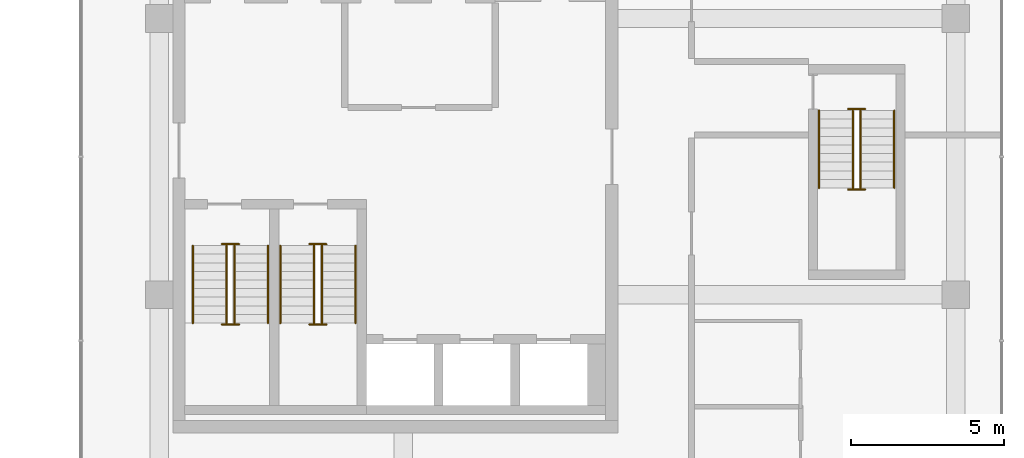
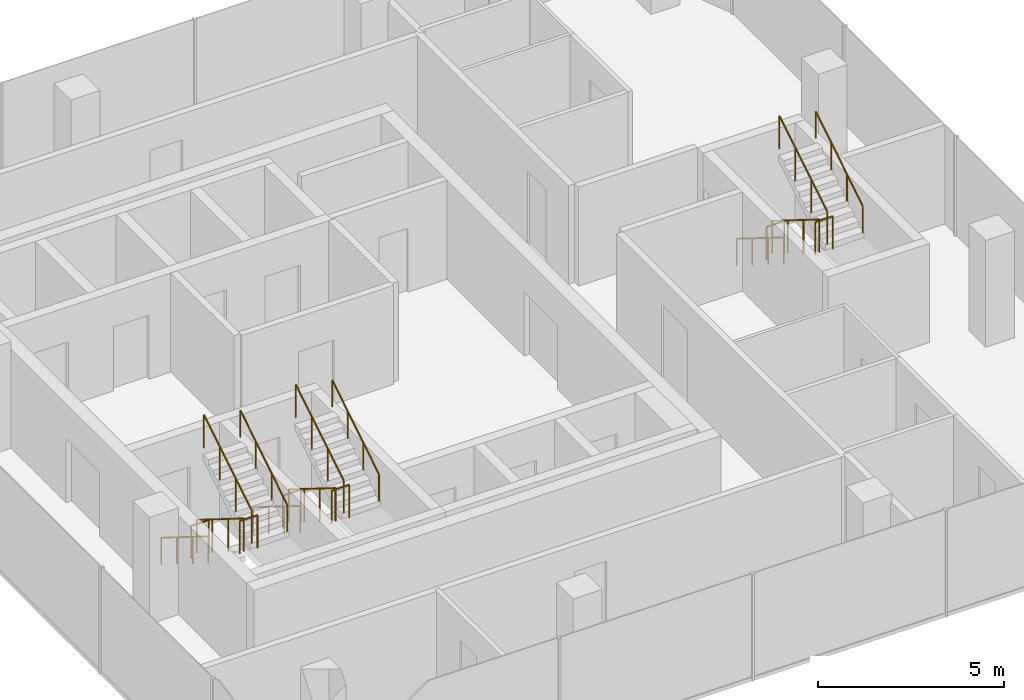
# One storey, part 23 of 23: 18 railings.
"""IFC4 building model written with IfcOpenShell, lengths in metres."""

from ifc_helpers import new_model, si_unit, direction, frame, origin, origin_2d, place, context, subcontext, project, spatial, circle, extrude, material, type_object, element, save


model = new_model("IFC4")

# Units and contexts
model_context = context("Model", 3, precision=1e-05, world=origin(), true_north=direction((0.0, 1.0)))
body_context = subcontext(model_context, "Body", "Model", "MODEL_VIEW")
ifc_project = project(units=[si_unit("LENGTHUNIT", "METRE"), si_unit("AREAUNIT", "SQUARE_METRE"), si_unit("VOLUMEUNIT", "CUBIC_METRE"), si_unit("PLANEANGLEUNIT", "RADIAN"), si_unit("MASSUNIT", "GRAM", prefix="KILO")], contexts=[model_context])

# Site, building, storey
site_placement = place(None, origin())
site = spatial("IfcSite", under=ifc_project, at=site_placement, CompositionType="ELEMENT")
building_placement = place(site_placement, origin())
building = spatial("IfcBuilding", under=site, at=building_placement, Name="Plateau Cross Towers", CompositionType="ELEMENT")
storey_placement = place(building_placement, frame((0.0, 0.0, 95.800048828125)))
storey = spatial("IfcBuildingStorey", under=building, at=storey_placement, Name="L24", CompositionType="ELEMENT", Elevation=95.800048828125)

# Railings
ifc_material_1 = material(Name="Stainless steel and toughened glass", Category="steel")
railing_type_1 = type_object("IfcRailingType", Name="RL-GUARD-1100", PredefinedType="GUARDRAIL", material=ifc_material_1)
railing_1_placement = place(storey_placement, frame((76.75, 6.10009765625, 0.175048828125)))
element("IfcRailing", 1, at=railing_1_placement, inside=storey, type_object=railing_type_1, Name="L24 SB-1 stair guard 1", PredefinedType="GUARDRAIL", context=body_context, shape_type="SweptSolid", body=[
    extrude(circle(Radius=0.02392578125, at=origin_2d()), frame((0.0, 0.0, 1.076171875), z_axis=(0.0, -0.848007534815, 0.529984170421), x_axis=(1.0, 0.0, 0.0)), (0.0, 0.0, 1.0), 2.9716796875),
    extrude(circle(Radius=0.02099609375, at=origin_2d()), origin(), (0.0, 0.0, 1.0), 1.052001953125),
    extrude(circle(Radius=0.02099609375, at=origin_2d()), frame((0.0, -0.840087890625, 0.52490234375)), (0.0, 0.0, 1.0), 1.052001953125),
    extrude(circle(Radius=0.02099609375, at=origin_2d()), frame((0.0, -1.679931640625, 1.050048828125)), (0.0, 0.0, 1.0), 1.052001953125),
    extrude(circle(Radius=0.02099609375, at=origin_2d()), frame((0.0, -2.52001953125, 1.574951171875)), (0.0, 0.0, 1.0), 1.052001953125),
])
railing_2_placement = place(storey_placement, frame((76.60009765625, 3.530029296875, 1.75)))
element("IfcRailing", 2, at=railing_2_placement, inside=storey, type_object=railing_type_1, Name="L24 SB-1 stair guard 2", PredefinedType="GUARDRAIL", context=body_context, shape_type="SweptSolid", body=[
    extrude(circle(Radius=0.02392578125, at=origin_2d()), frame((0.0, 0.0, 1.076171875), z_axis=(1.0, 0.0, 0.0), x_axis=(0.0, 1.0, 0.0)), (0.0, 0.0, 1.0), 0.5498046875),
    extrude(circle(Radius=0.02099609375, at=origin_2d()), origin(), (0.0, 0.0, 1.0), 1.052001953125),
    extrude(circle(Radius=0.02099609375, at=origin_2d()), frame((0.5498046875, 0.0, 0.0)), (0.0, 0.0, 1.0), 1.052001953125),
])
railing_3_placement = place(storey_placement, frame((77.0, 3.580078125, 1.925048828125)))
element("IfcRailing", 3, at=railing_3_placement, inside=storey, type_object=railing_type_1, Name="L24 SB-1 stair guard 3", PredefinedType="GUARDRAIL", context=body_context, shape_type="SweptSolid", body=[
    extrude(circle(Radius=0.02392578125, at=origin_2d()), frame((0.0, 0.0, 1.076171875), z_axis=(0.0, 0.852616386126, 0.522537365276), x_axis=(-1.0, 0.0, 0.0)), (0.0, 0.0, 1.0), 3.01416015625),
    extrude(circle(Radius=0.02099609375, at=origin_2d()), origin(), (0.0, 0.0, 1.0), 1.052001953125),
    extrude(circle(Radius=0.02099609375, at=origin_2d()), frame((0.0, 0.856689453125, 0.52490234375)), (0.0, 0.0, 1.0), 1.052001953125),
    extrude(circle(Radius=0.02099609375, at=origin_2d()), frame((0.0, 1.713134765625, 1.050048828125)), (0.0, 0.0, 1.0), 1.052001953125),
    extrude(circle(Radius=0.02099609375, at=origin_2d()), frame((0.0, 2.56982421875, 1.574951171875)), (0.0, 0.0, 1.0), 1.052001953125),
])
railing_4_placement = place(storey_placement, frame((76.60009765625, 6.14990234375, 0.0)))
element("IfcRailing", 4, at=railing_4_placement, inside=storey, type_object=railing_type_1, Name="L24 SB-1 stair guard 4", PredefinedType="GUARDRAIL", context=body_context, shape_type="SweptSolid", body=[
    extrude(circle(Radius=0.02392578125, at=origin_2d()), frame((0.0, 0.0, 1.076171875), z_axis=(1.0, 0.0, 0.0), x_axis=(0.0, 1.0, 0.0)), (0.0, 0.0, 1.0), 0.5498046875),
    extrude(circle(Radius=0.02099609375, at=origin_2d()), origin(), (0.0, 0.0, 1.0), 1.052001953125),
    extrude(circle(Radius=0.02099609375, at=origin_2d()), frame((0.5498046875, 0.0, 0.0)), (0.0, 0.0, 1.0), 1.052001953125),
])
railing_5_placement = place(storey_placement, frame((79.60009765625, 6.10009765625, 0.175048828125)))
element("IfcRailing", 5, at=railing_5_placement, inside=storey, type_object=railing_type_1, Name="L24 SB-2 stair guard 1", PredefinedType="GUARDRAIL", context=body_context, shape_type="SweptSolid", body=[
    extrude(circle(Radius=0.02392578125, at=origin_2d()), frame((0.0, 0.0, 1.076171875), z_axis=(0.0, -0.848007534815, 0.529984170421), x_axis=(1.0, 0.0, 0.0)), (0.0, 0.0, 1.0), 2.9716796875),
    extrude(circle(Radius=0.02099609375, at=origin_2d()), origin(), (0.0, 0.0, 1.0), 1.052001953125),
    extrude(circle(Radius=0.02099609375, at=origin_2d()), frame((0.0, -0.840087890625, 0.52490234375)), (0.0, 0.0, 1.0), 1.052001953125),
    extrude(circle(Radius=0.02099609375, at=origin_2d()), frame((0.0, -1.679931640625, 1.050048828125)), (0.0, 0.0, 1.0), 1.052001953125),
    extrude(circle(Radius=0.02099609375, at=origin_2d()), frame((0.0, -2.52001953125, 1.574951171875)), (0.0, 0.0, 1.0), 1.052001953125),
])
railing_6_placement = place(storey_placement, frame((79.449951171875, 3.530029296875, 1.75)))
element("IfcRailing", 6, at=railing_6_placement, inside=storey, type_object=railing_type_1, Name="L24 SB-2 stair guard 2", PredefinedType="GUARDRAIL", context=body_context, shape_type="SweptSolid", body=[
    extrude(circle(Radius=0.02392578125, at=origin_2d()), frame((0.0, 0.0, 1.076171875), z_axis=(1.0, 0.0, 0.0), x_axis=(0.0, 1.0, 0.0)), (0.0, 0.0, 1.0), 0.550048828125),
    extrude(circle(Radius=0.02099609375, at=origin_2d()), origin(), (0.0, 0.0, 1.0), 1.052001953125),
    extrude(circle(Radius=0.02099609375, at=origin_2d()), frame((0.550048828125, 0.0, 0.0)), (0.0, 0.0, 1.0), 1.052001953125),
])
railing_7_placement = place(storey_placement, frame((79.85009765625, 3.580078125, 1.925048828125)))
element("IfcRailing", 7, at=railing_7_placement, inside=storey, type_object=railing_type_1, Name="L24 SB-2 stair guard 3", PredefinedType="GUARDRAIL", context=body_context, shape_type="SweptSolid", body=[
    extrude(circle(Radius=0.02392578125, at=origin_2d()), frame((0.0, 0.0, 1.076171875), z_axis=(0.0, 0.852616386126, 0.522537365276), x_axis=(-1.0, 0.0, 0.0)), (0.0, 0.0, 1.0), 3.01416015625),
    extrude(circle(Radius=0.02099609375, at=origin_2d()), origin(), (0.0, 0.0, 1.0), 1.052001953125),
    extrude(circle(Radius=0.02099609375, at=origin_2d()), frame((0.0, 0.856689453125, 0.52490234375)), (0.0, 0.0, 1.0), 1.052001953125),
    extrude(circle(Radius=0.02099609375, at=origin_2d()), frame((0.0, 1.713134765625, 1.050048828125)), (0.0, 0.0, 1.0), 1.052001953125),
    extrude(circle(Radius=0.02099609375, at=origin_2d()), frame((0.0, 2.56982421875, 1.574951171875)), (0.0, 0.0, 1.0), 1.052001953125),
])
railing_8_placement = place(storey_placement, frame((79.449951171875, 6.14990234375, 0.0)))
element("IfcRailing", 8, at=railing_8_placement, inside=storey, type_object=railing_type_1, Name="L24 SB-2 stair guard 4", PredefinedType="GUARDRAIL", context=body_context, shape_type="SweptSolid", body=[
    extrude(circle(Radius=0.02392578125, at=origin_2d()), frame((0.0, 0.0, 1.076171875), z_axis=(1.0, 0.0, 0.0), x_axis=(0.0, 1.0, 0.0)), (0.0, 0.0, 1.0), 0.550048828125),
    extrude(circle(Radius=0.02099609375, at=origin_2d()), origin(), (0.0, 0.0, 1.0), 1.052001953125),
    extrude(circle(Radius=0.02099609375, at=origin_2d()), frame((0.550048828125, 0.0, 0.0)), (0.0, 0.0, 1.0), 1.052001953125),
])
railing_9_placement = place(storey_placement, frame((97.14990234375, 10.5, 0.175048828125)))
element("IfcRailing", 9, at=railing_9_placement, inside=storey, type_object=railing_type_1, Name="L24 SB-3 stair guard 1", PredefinedType="GUARDRAIL", context=body_context, shape_type="SweptSolid", body=[
    extrude(circle(Radius=0.02392578125, at=origin_2d()), frame((0.0, 0.0, 1.076171875), z_axis=(0.0, -0.848007534815, 0.529984170421), x_axis=(1.0, 0.0, 0.0)), (0.0, 0.0, 1.0), 2.9716796875),
    extrude(circle(Radius=0.02099609375, at=origin_2d()), origin(), (0.0, 0.0, 1.0), 1.052001953125),
    extrude(circle(Radius=0.02099609375, at=origin_2d()), frame((0.0, -0.840087890625, 0.52490234375)), (0.0, 0.0, 1.0), 1.052001953125),
    extrude(circle(Radius=0.02099609375, at=origin_2d()), frame((0.0, -1.679931640625, 1.050048828125)), (0.0, 0.0, 1.0), 1.052001953125),
    extrude(circle(Radius=0.02099609375, at=origin_2d()), frame((0.0, -2.52001953125, 1.574951171875)), (0.0, 0.0, 1.0), 1.052001953125),
])
railing_10_placement = place(storey_placement, frame((97.0, 7.929931640625, 1.75)))
element("IfcRailing", 10, at=railing_10_placement, inside=storey, type_object=railing_type_1, Name="L24 SB-3 stair guard 2", PredefinedType="GUARDRAIL", context=body_context, shape_type="SweptSolid", body=[
    extrude(circle(Radius=0.02392578125, at=origin_2d()), frame((0.0, 0.0, 1.076171875), z_axis=(1.0, 0.0, 0.0), x_axis=(0.0, 1.0, 0.0)), (0.0, 0.0, 1.0), 0.550048828125),
    extrude(circle(Radius=0.02099609375, at=origin_2d()), origin(), (0.0, 0.0, 1.0), 1.052001953125),
    extrude(circle(Radius=0.02099609375, at=origin_2d()), frame((0.550048828125, 0.0, 0.0)), (0.0, 0.0, 1.0), 1.052001953125),
])
railing_11_placement = place(storey_placement, frame((97.39990234375, 7.97998046875, 1.925048828125)))
element("IfcRailing", 11, at=railing_11_placement, inside=storey, type_object=railing_type_1, Name="L24 SB-3 stair guard 3", PredefinedType="GUARDRAIL", context=body_context, shape_type="SweptSolid", body=[
    extrude(circle(Radius=0.02392578125, at=origin_2d()), frame((0.0, 0.0, 1.076171875), z_axis=(0.0, 0.852638500773, 0.522501279423), x_axis=(-1.0, 0.0, 0.0)), (0.0, 0.0, 1.0), 3.01416015625),
    extrude(circle(Radius=0.02099609375, at=origin_2d()), origin(), (0.0, 0.0, 1.0), 1.052001953125),
    extrude(circle(Radius=0.02099609375, at=origin_2d()), frame((0.0, 0.856689453125, 0.52490234375)), (0.0, 0.0, 1.0), 1.052001953125),
    extrude(circle(Radius=0.02099609375, at=origin_2d()), frame((0.0, 1.71337890625, 1.050048828125)), (0.0, 0.0, 1.0), 1.052001953125),
    extrude(circle(Radius=0.02099609375, at=origin_2d()), frame((0.0, 2.570068359375, 1.574951171875)), (0.0, 0.0, 1.0), 1.052001953125),
])
railing_12_placement = place(storey_placement, frame((97.0, 10.550048828125, 0.0)))
element("IfcRailing", 12, at=railing_12_placement, inside=storey, type_object=railing_type_1, Name="L24 SB-3 stair guard 4", PredefinedType="GUARDRAIL", context=body_context, shape_type="SweptSolid", body=[
    extrude(circle(Radius=0.02392578125, at=origin_2d()), frame((0.0, 0.0, 1.076171875), z_axis=(1.0, 0.0, 0.0), x_axis=(0.0, 1.0, 0.0)), (0.0, 0.0, 1.0), 0.550048828125),
    extrude(circle(Radius=0.02099609375, at=origin_2d()), origin(), (0.0, 0.0, 1.0), 1.052001953125),
    extrude(circle(Radius=0.02099609375, at=origin_2d()), frame((0.550048828125, 0.0, 0.0)), (0.0, 0.0, 1.0), 1.052001953125),
])
ifc_material_2 = material(Name="Black anodised aluminium", Category="aluminium")
railing_type_2 = type_object("IfcRailingType", Name="RL-HANDRAIL-900", PredefinedType="HANDRAIL", material=ifc_material_2)
railing_13_placement = place(storey_placement, frame((75.64990234375, 6.10009765625, 0.175048828125)))
element("IfcRailing", 13, at=railing_13_placement, inside=storey, type_object=railing_type_2, Name="L24 SB-1 stair handrail 1", PredefinedType="HANDRAIL", context=body_context, shape_type="SweptSolid", body=[
    extrude(circle(Radius=0.02392578125, at=origin_2d()), frame((0.0, 0.0, 0.8759765625), z_axis=(0.0, -0.848007534815, 0.529984170421), x_axis=(1.0, 0.0, 0.0)), (0.0, 0.0, 1.0), 2.9716796875),
    extrude(circle(Radius=0.02099609375, at=origin_2d()), origin(), (0.0, 0.0, 1.0), 0.851806640625),
    extrude(circle(Radius=0.02099609375, at=origin_2d()), frame((0.0, -0.840087890625, 0.52490234375)), (0.0, 0.0, 1.0), 0.851806640625),
    extrude(circle(Radius=0.02099609375, at=origin_2d()), frame((0.0, -1.679931640625, 1.050048828125)), (0.0, 0.0, 1.0), 0.851806640625),
    extrude(circle(Radius=0.02099609375, at=origin_2d()), frame((0.0, -2.52001953125, 1.574951171875)), (0.0, 0.0, 1.0), 0.851806640625),
])
railing_14_placement = place(storey_placement, frame((78.10009765625, 3.580078125, 1.925048828125)))
element("IfcRailing", 14, at=railing_14_placement, inside=storey, type_object=railing_type_2, Name="L24 SB-1 stair handrail 2", PredefinedType="HANDRAIL", context=body_context, shape_type="SweptSolid", body=[
    extrude(circle(Radius=0.02392578125, at=origin_2d()), frame((0.0, 0.0, 0.8759765625), z_axis=(0.0, 0.848007534815, 0.529984170421), x_axis=(-1.0, 0.0, 0.0)), (0.0, 0.0, 1.0), 2.9716796875),
    extrude(circle(Radius=0.02099609375, at=origin_2d()), origin(), (0.0, 0.0, 1.0), 0.851806640625),
    extrude(circle(Radius=0.02099609375, at=origin_2d()), frame((0.0, 0.840087890625, 0.52490234375)), (0.0, 0.0, 1.0), 0.851806640625),
    extrude(circle(Radius=0.02099609375, at=origin_2d()), frame((0.0, 1.679931640625, 1.050048828125)), (0.0, 0.0, 1.0), 0.851806640625),
    extrude(circle(Radius=0.02099609375, at=origin_2d()), frame((0.0, 2.52001953125, 1.574951171875)), (0.0, 0.0, 1.0), 0.851806640625),
])
railing_15_placement = place(storey_placement, frame((78.5, 6.10009765625, 0.175048828125)))
element("IfcRailing", 15, at=railing_15_placement, inside=storey, type_object=railing_type_2, Name="L24 SB-2 stair handrail 1", PredefinedType="HANDRAIL", context=body_context, shape_type="SweptSolid", body=[
    extrude(circle(Radius=0.02392578125, at=origin_2d()), frame((0.0, 0.0, 0.8759765625), z_axis=(0.0, -0.848007534815, 0.529984170421), x_axis=(1.0, 0.0, 0.0)), (0.0, 0.0, 1.0), 2.9716796875),
    extrude(circle(Radius=0.02099609375, at=origin_2d()), origin(), (0.0, 0.0, 1.0), 0.851806640625),
    extrude(circle(Radius=0.02099609375, at=origin_2d()), frame((0.0, -0.840087890625, 0.52490234375)), (0.0, 0.0, 1.0), 0.851806640625),
    extrude(circle(Radius=0.02099609375, at=origin_2d()), frame((0.0, -1.679931640625, 1.050048828125)), (0.0, 0.0, 1.0), 0.851806640625),
    extrude(circle(Radius=0.02099609375, at=origin_2d()), frame((0.0, -2.52001953125, 1.574951171875)), (0.0, 0.0, 1.0), 0.851806640625),
])
railing_16_placement = place(storey_placement, frame((80.949951171875, 3.580078125, 1.925048828125)))
element("IfcRailing", 16, at=railing_16_placement, inside=storey, type_object=railing_type_2, Name="L24 SB-2 stair handrail 2", PredefinedType="HANDRAIL", context=body_context, shape_type="SweptSolid", body=[
    extrude(circle(Radius=0.02392578125, at=origin_2d()), frame((0.0, 0.0, 0.8759765625), z_axis=(0.0, 0.848007534815, 0.529984170421), x_axis=(-1.0, 0.0, 0.0)), (0.0, 0.0, 1.0), 2.9716796875),
    extrude(circle(Radius=0.02099609375, at=origin_2d()), origin(), (0.0, 0.0, 1.0), 0.851806640625),
    extrude(circle(Radius=0.02099609375, at=origin_2d()), frame((0.0, 0.840087890625, 0.52490234375)), (0.0, 0.0, 1.0), 0.851806640625),
    extrude(circle(Radius=0.02099609375, at=origin_2d()), frame((0.0, 1.679931640625, 1.050048828125)), (0.0, 0.0, 1.0), 0.851806640625),
    extrude(circle(Radius=0.02099609375, at=origin_2d()), frame((0.0, 2.52001953125, 1.574951171875)), (0.0, 0.0, 1.0), 0.851806640625),
])
railing_17_placement = place(storey_placement, frame((96.050048828125, 10.5, 0.175048828125)))
element("IfcRailing", 17, at=railing_17_placement, inside=storey, type_object=railing_type_2, Name="L24 SB-3 stair handrail 1", PredefinedType="HANDRAIL", context=body_context, shape_type="SweptSolid", body=[
    extrude(circle(Radius=0.02392578125, at=origin_2d()), frame((0.0, 0.0, 0.8759765625), z_axis=(0.0, -0.848007534815, 0.529984170421), x_axis=(1.0, 0.0, 0.0)), (0.0, 0.0, 1.0), 2.9716796875),
    extrude(circle(Radius=0.02099609375, at=origin_2d()), origin(), (0.0, 0.0, 1.0), 0.851806640625),
    extrude(circle(Radius=0.02099609375, at=origin_2d()), frame((0.0, -0.840087890625, 0.52490234375)), (0.0, 0.0, 1.0), 0.851806640625),
    extrude(circle(Radius=0.02099609375, at=origin_2d()), frame((0.0, -1.679931640625, 1.050048828125)), (0.0, 0.0, 1.0), 0.851806640625),
    extrude(circle(Radius=0.02099609375, at=origin_2d()), frame((0.0, -2.52001953125, 1.574951171875)), (0.0, 0.0, 1.0), 0.851806640625),
])
railing_18_placement = place(storey_placement, frame((98.5, 7.97998046875, 1.925048828125)))
element("IfcRailing", 18, at=railing_18_placement, inside=storey, type_object=railing_type_2, Name="L24 SB-3 stair handrail 2", PredefinedType="HANDRAIL", context=body_context, shape_type="SweptSolid", body=[
    extrude(circle(Radius=0.02392578125, at=origin_2d()), frame((0.0, 0.0, 0.8759765625), z_axis=(0.0, 0.848007534815, 0.529984170421), x_axis=(-1.0, 0.0, 0.0)), (0.0, 0.0, 1.0), 2.9716796875),
    extrude(circle(Radius=0.02099609375, at=origin_2d()), origin(), (0.0, 0.0, 1.0), 0.851806640625),
    extrude(circle(Radius=0.02099609375, at=origin_2d()), frame((0.0, 0.840087890625, 0.52490234375)), (0.0, 0.0, 1.0), 0.851806640625),
    extrude(circle(Radius=0.02099609375, at=origin_2d()), frame((0.0, 1.679931640625, 1.050048828125)), (0.0, 0.0, 1.0), 0.851806640625),
    extrude(circle(Radius=0.02099609375, at=origin_2d()), frame((0.0, 2.52001953125, 1.574951171875)), (0.0, 0.0, 1.0), 0.851806640625),
])

save(model, "model.ifc")
